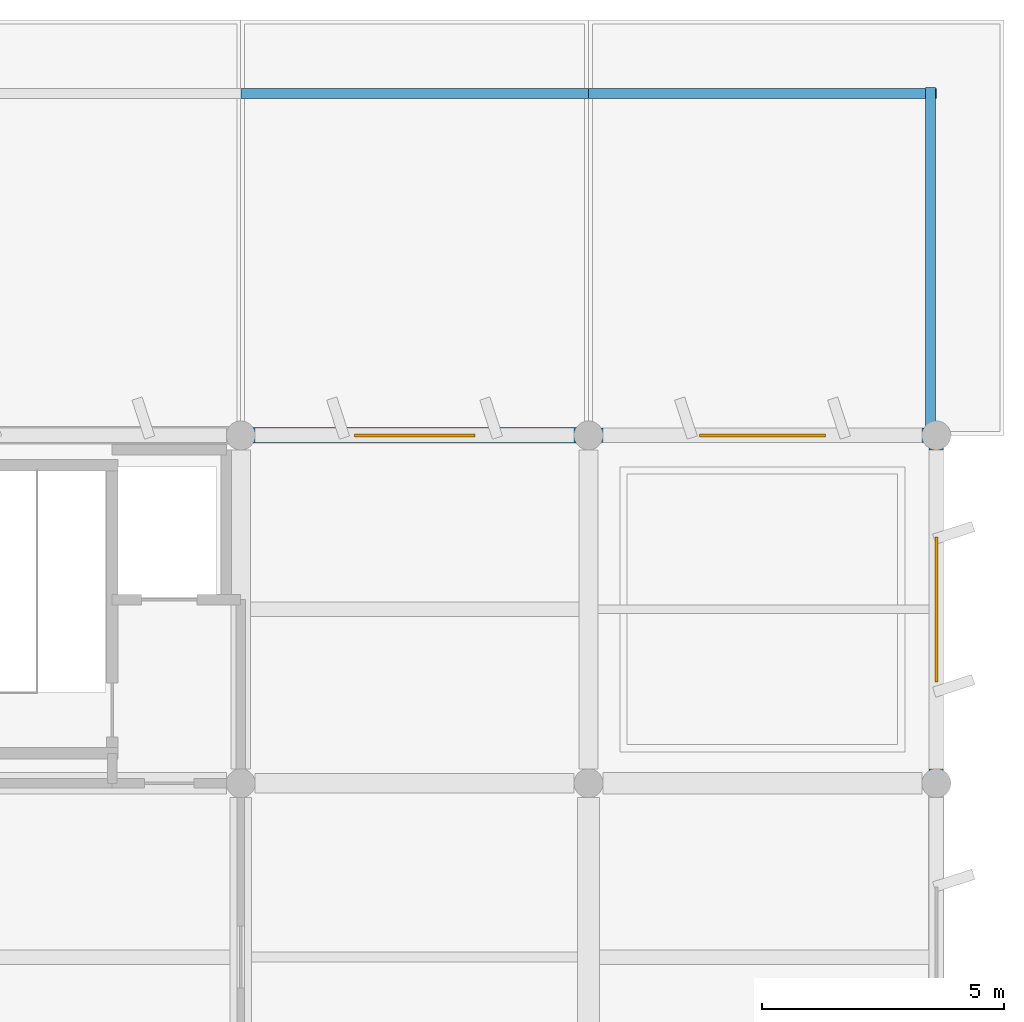
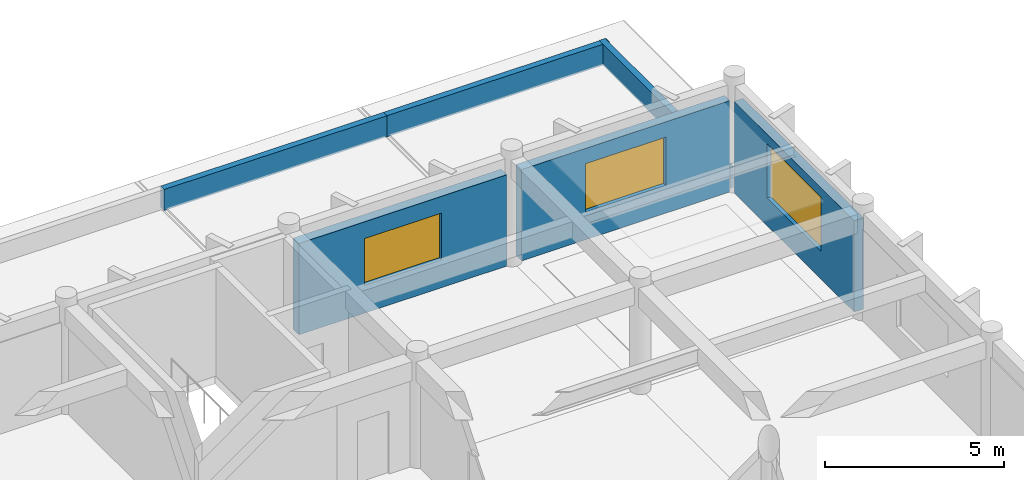
# One storey, part 14 of 16: 6 walls, 3 windows, 3 openings.
"""IFC4 building model written with IfcOpenShell, lengths in metres."""

from ifc_helpers import new_model, si_unit, direction, frame, frame_2d, origin, place, context, subcontext, project, spatial, rectangle, extrude, material, layer, layer_set, type_object, element, fill, save


model = new_model("IFC4")

# Units and contexts
model_context = context("Model", 3, precision=1e-05, world=origin(), true_north=direction((0.0, 1.0)))
body_context = subcontext(model_context, "Body", "Model", "MODEL_VIEW")
ifc_project = project(units=[si_unit("LENGTHUNIT", "METRE"), si_unit("AREAUNIT", "SQUARE_METRE"), si_unit("VOLUMEUNIT", "CUBIC_METRE"), si_unit("PLANEANGLEUNIT", "RADIAN"), si_unit("MASSUNIT", "GRAM", prefix="KILO")], contexts=[model_context])

# Site, building, storey
site_placement = place(None, origin())
site = spatial("IfcSite", under=ifc_project, at=site_placement, CompositionType="ELEMENT")
building_placement = place(site_placement, origin())
building = spatial("IfcBuilding", under=site, at=building_placement, Name="Kavelor Marine Aquarium", CompositionType="ELEMENT")
storey_placement = place(building_placement, frame((0.0, 0.0, 21.60009765625)))
storey = spatial("IfcBuildingStorey", under=building, at=storey_placement, Name="L05", CompositionType="ELEMENT", Elevation=21.60009765625)

# Wall, opening, window
ifc_material_1 = material(Name="Concrete C45/55", Category="concrete")
ifc_layer_1 = layer(ifc_material_1, 0.320068359375)
ifc_layer_set_1 = layer_set([ifc_layer_1], Name="WL-EX2")
wall_type_1 = type_object("IfcWallType", Name="WL-EX2", PredefinedType="STANDARD", material=ifc_layer_set_1)
wall_1_placement = place(storey_placement, frame((133.034912109375, 103.60009765625, 0.0), z_axis=(0.0, 0.0, 1.0), x_axis=(1.0, 0.0, 0.0)))
wall_1 = element("IfcWall", 1, at=wall_1_placement, inside=storey, type_object=wall_type_1, Name="ew:x:L05:18_14", PredefinedType="STANDARD", context=body_context, shape_type="SweptSolid", body=[
    extrude(rectangle(XDim=6.72998046875, YDim=0.320068359375, at=frame_2d((3.364990234375, 0.0))), origin(), (0.0, 0.0, 1.0), 3.119873046875),
])
opening_1_placement = place(wall_1_placement, frame((2.114990234375, 0.0, 0.949951171875)))
opening_1 = element("IfcOpeningElement", 2, at=opening_1_placement, cuts=wall_1, Name="Opening W15", PredefinedType="OPENING", context=body_context, shape_type="SweptSolid", body=[
    extrude(rectangle(XDim=2.5, YDim=1.60009765625, at=frame_2d((1.25, 0.800048828125))), frame((0.0, 0.169921875, 0.0), z_axis=(0.0, -1.0, 0.0), x_axis=(1.0, 0.0, 0.0)), (0.0, 0.0, 1.0), 0.340068),
])
ifc_material_2 = material(Name="Anodised Aluminium Frame with Low-E Double Glazing", Category="aluminium")
window_type_1 = type_object("IfcWindowType", Name="WIN-W15", PartitioningType="DOUBLE_PANEL_VERTICAL", PredefinedType="WINDOW", material=ifc_material_2)
window_1_placement = place(opening_1_placement, origin())
window_1 = element("IfcWindow", 3, at=window_1_placement, inside=storey, type_object=window_type_1, Name="win:x:L05:18_14", OverallHeight=1.60009765625, OverallWidth=2.5, PartitioningType="SINGLE_PANEL", PredefinedType="WINDOW", context=body_context, shape_type="SweptSolid", body=[
    extrude(rectangle(XDim=2.5, YDim=1.60009765625, at=frame_2d((1.25, 0.800048828125))), frame((0.0, 0.030029296875, 0.0), z_axis=(0.0, -1.0, 0.0), x_axis=(1.0, 0.0, 0.0)), (0.0, 0.0, 1.0), 0.06005859375),
])
fill(opening_1, window_1)

ifc_material_3 = material(Name="Concrete C40/50", Category="concrete")
ifc_layer_2 = layer(ifc_material_3, 0.300048828125)
ifc_layer_set_2 = layer_set([ifc_layer_2], Name="WL-EX3")
wall_type_2 = type_object("IfcWallType", Name="WL-EX3", PredefinedType="STANDARD", material=ifc_layer_set_2)
wall_2_placement = place(storey_placement, frame((140.235107421875, 103.60009765625, 0.0), z_axis=(0.0, 0.0, 1.0), x_axis=(1.0, 0.0, 0.0)))
wall_2 = element("IfcWall", 4, at=wall_2_placement, inside=storey, type_object=wall_type_2, Name="ew:x:L05:19_14", PredefinedType="STANDARD", context=body_context, shape_type="SweptSolid", body=[
    extrude(rectangle(XDim=6.72998046875, YDim=0.300048828125, at=frame_2d((3.364990234375, 0.0))), origin(), (0.0, 0.0, 1.0), 3.119873046875),
])
opening_2_placement = place(wall_2_placement, frame((2.06494140625, 0.0, 0.949951171875)))
opening_2 = element("IfcOpeningElement", 5, at=opening_2_placement, cuts=wall_2, Name="Opening W16", PredefinedType="OPENING", context=body_context, shape_type="SweptSolid", body=[
    extrude(rectangle(XDim=2.60009765625, YDim=1.64990234375, at=frame_2d((1.300048828125, 0.824951171875))), frame((0.0, 0.159912109375, 0.0), z_axis=(0.0, -1.0, 0.0), x_axis=(1.0, 0.0, 0.0)), (0.0, 0.0, 1.0), 0.320049),
])
ifc_material_4 = material(Name="Anodised Aluminium Frame with Low-E Double Glazing", Category="aluminium")
window_type_2 = type_object("IfcWindowType", Name="WIN-W16", PartitioningType="DOUBLE_PANEL_VERTICAL", PredefinedType="WINDOW", material=ifc_material_4)
window_2_placement = place(opening_2_placement, origin())
window_2 = element("IfcWindow", 6, at=window_2_placement, inside=storey, type_object=window_type_2, Name="win:x:L05:19_14", OverallHeight=1.64990234375, OverallWidth=2.60009765625, PartitioningType="SINGLE_PANEL", PredefinedType="WINDOW", context=body_context, shape_type="SweptSolid", body=[
    extrude(rectangle(XDim=2.60009765625, YDim=1.64990234375, at=frame_2d((1.300048828125, 0.824951171875))), frame((0.0, 0.030029296875, 0.0), z_axis=(0.0, -1.0, 0.0), x_axis=(1.0, 0.0, 0.0)), (0.0, 0.0, 1.0), 0.06005859375),
])
fill(opening_2, window_2)

wall_3_placement = place(storey_placement, frame((147.199951171875, 103.364990234375, 0.0), z_axis=(0.0, 0.0, 1.0), x_axis=(0.0, -1.0, 0.0)))
wall_3 = element("IfcWall", 7, at=wall_3_placement, inside=storey, type_object=wall_type_2, Name="ew:y:L05:20_13", PredefinedType="STANDARD", context=body_context, shape_type="SweptSolid", body=[
    extrude(rectangle(XDim=6.72998046875, YDim=0.300048828125, at=frame_2d((3.364990234375, 0.0))), origin(), (0.0, 0.0, 1.0), 3.119873046875),
])
opening_3_placement = place(wall_3_placement, frame((1.864990234375, 0.0, 0.949951171875)))
opening_3 = element("IfcOpeningElement", 8, at=opening_3_placement, cuts=wall_3, Name="Opening W20", PredefinedType="OPENING", context=body_context, shape_type="SweptSolid", body=[
    extrude(rectangle(XDim=3.0, YDim=1.85009765625, at=frame_2d((1.5, 0.925048828125))), frame((0.0, 0.159912109375, 0.0), z_axis=(0.0, -1.0, 0.0), x_axis=(1.0, 0.0, 0.0)), (0.0, 0.0, 1.0), 0.320049),
])
ifc_material_5 = material(Name="Anodised Aluminium Frame with Low-E Double Glazing", Category="aluminium")
window_type_3 = type_object("IfcWindowType", Name="WIN-W20", PartitioningType="DOUBLE_PANEL_VERTICAL", PredefinedType="WINDOW", material=ifc_material_5)
window_3_placement = place(opening_3_placement, origin())
window_3 = element("IfcWindow", 9, at=window_3_placement, inside=storey, type_object=window_type_3, Name="win:y:L05:20_13", OverallHeight=1.85009765625, OverallWidth=3.0, PartitioningType="SINGLE_PANEL", PredefinedType="WINDOW", context=body_context, shape_type="SweptSolid", body=[
    extrude(rectangle(XDim=3.0, YDim=1.85009765625, at=frame_2d((1.5, 0.925048828125))), frame((0.0, 0.030029296875, 0.0), z_axis=(0.0, -1.0, 0.0), x_axis=(1.0, 0.0, 0.0)), (0.0, 0.0, 1.0), 0.06005859375),
])
fill(opening_3, window_3)

# Walls
ifc_material_6 = material(Name="Concrete C40/50", Category="concrete")
ifc_layer_3 = layer(ifc_material_6, 0.199951171875)
ifc_layer_set_3 = layer_set([ifc_layer_3], Name="WL-PR3")
wall_type_3 = type_object("IfcWallType", Name="WL-PR3", PredefinedType="PARAPET", material=ifc_layer_set_3)
for number, where, z_axis, x_axis, name in (
    (10, (132.800048828125, 110.679931640625, 0.0), (0.0, 0.0, 1.0), (1.0, 0.0, 0.0), "par:n:L05:18_14"),
    (11, (140.0, 110.679931640625, 0.0), (0.0, 0.0, 1.0), (1.0, 0.0, 0.0), "par:n:L05:19_14"),
    (12, (147.080078125, 103.60009765625, 0.0), (0.0, 0.0, 1.0), (0.0, 1.0, 0.0), "par:e:L05:19_14"),
):
    element("IfcWall", number, at=place(storey_placement, frame(where, z_axis=z_axis, x_axis=x_axis)), inside=storey, type_object=wall_type_3, Name=name, PredefinedType="PARAPET", context=body_context, shape_type="SweptSolid", body=[
        extrude(rectangle(XDim=7.199951171875, YDim=0.199951171875, at=frame_2d((3.60009765625, 0.0))), origin(), (0.0, 0.0, 1.0), 0.719970703125),
    ])

save(model, "model.ifc")
